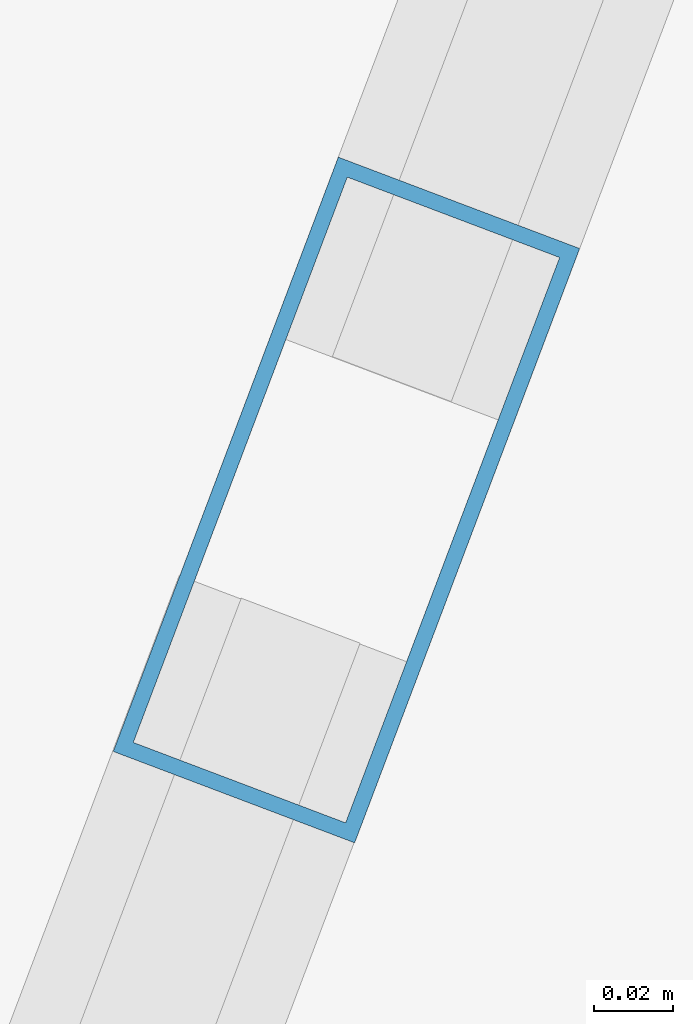
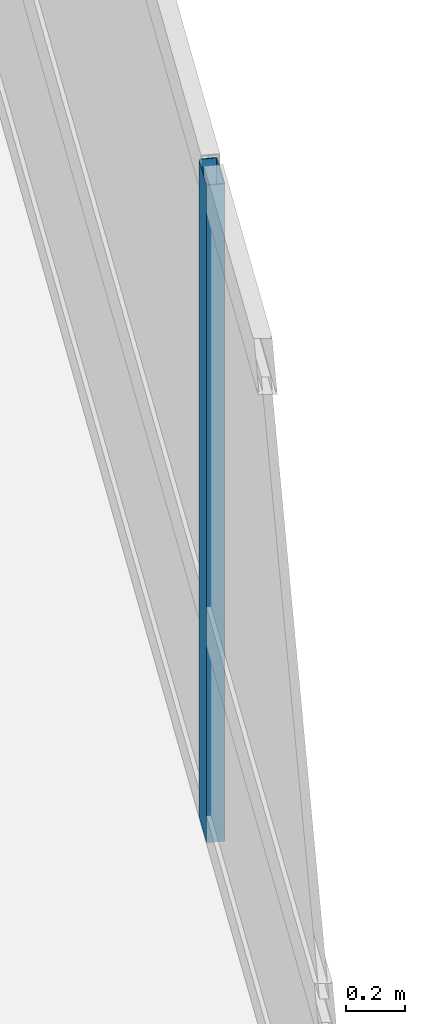
# One storey, part 13 of 24: 1 member, 1 element without a shape of its own.
"""IFC4 building model written with IfcOpenShell, lengths in metres."""

from ifc_helpers import new_model, si_unit, direction, frame, origin, origin_2d, place, context, subcontext, project, spatial, hollow_rectangle, extrude, material, layer, layer_set, material_profile, profile_set, type_object, element, aggregate, save


model = new_model("IFC4")

# Units and contexts
model_context = context("Model", 3, precision=1e-05, world=origin(), true_north=direction((0.0, 1.0)))
body_context = subcontext(model_context, "Body", "Model", "MODEL_VIEW")
ifc_project = project(units=[si_unit("LENGTHUNIT", "METRE"), si_unit("AREAUNIT", "SQUARE_METRE"), si_unit("VOLUMEUNIT", "CUBIC_METRE"), si_unit("PLANEANGLEUNIT", "RADIAN"), si_unit("MASSUNIT", "GRAM", prefix="KILO")], contexts=[model_context])

# Site, building, storey
site_placement = place(None, origin())
site = spatial("IfcSite", under=ifc_project, at=site_placement, CompositionType="ELEMENT")
building_placement = place(site_placement, origin())
building = spatial("IfcBuilding", under=site, at=building_placement, Name="Varnelok Gate Tower", CompositionType="ELEMENT")
storey_placement = place(building_placement, frame((0.0, 0.0, 98.39990234375)))
storey = spatial("IfcBuildingStorey", under=building, at=storey_placement, Name="L24", CompositionType="ELEMENT", Elevation=98.39990234375)

# Curtain wall, member
ifc_material = material(Name="Anodized Aluminum Alloy 6063-T6", Category="aluminium")
ifc_layer = layer(ifc_material, 0.179931640625)
ifc_layer_set = layer_set([ifc_layer], Name="Anodized Aluminum Alloy 6063-T6")
curtain_wall_type = type_object("IfcCurtainWallType", Name="CW3-HOTEL-VISION", PredefinedType="USERDEFINED", material=ifc_layer_set)
curtain_wall_placement = place(storey_placement, origin())
curtain_wall = element("IfcCurtainWall", 1, at=curtain_wall_placement, inside=storey, type_object=curtain_wall_type, Name="L24 East End Vision Curtain Wall", ObjectType="UNITISED CURTAIN WALL", PredefinedType="USERDEFINED")
ifc_material_profile = material_profile(ifc_material, hollow_rectangle(XDim=0.06494140625, YDim=0.159912109375, WallThickness=0.00390625, at=origin_2d()), Name="ALU160X65X4")
ifc_profile_set = profile_set([ifc_material_profile], Name="Anodized Aluminum Alloy 6063-T6")
member_type = type_object("IfcMemberType", Name="CW-MULL-160", PredefinedType="MULLION", material=ifc_profile_set)
member_placement = place(storey_placement, frame((77.8916015625, 22.26416015625, 0.0), z_axis=(0.0, 0.0, 1.0), x_axis=(0.935221323688, -0.354063660545, 0.0)))
member = element("IfcMember", 2, at=member_placement, type_object=member_type, Name="CW3 mullion 2", PredefinedType="MULLION", context=body_context, shape_type="SweptSolid", body=[
    extrude(hollow_rectangle(XDim=0.06494140625, YDim=0.159912109375, WallThickness=0.00390625, at=origin_2d()), origin(), (0.0, 0.0, 1.0), 2.72998046875),
])
aggregate(curtain_wall, [member])

save(model, "model.ifc")
